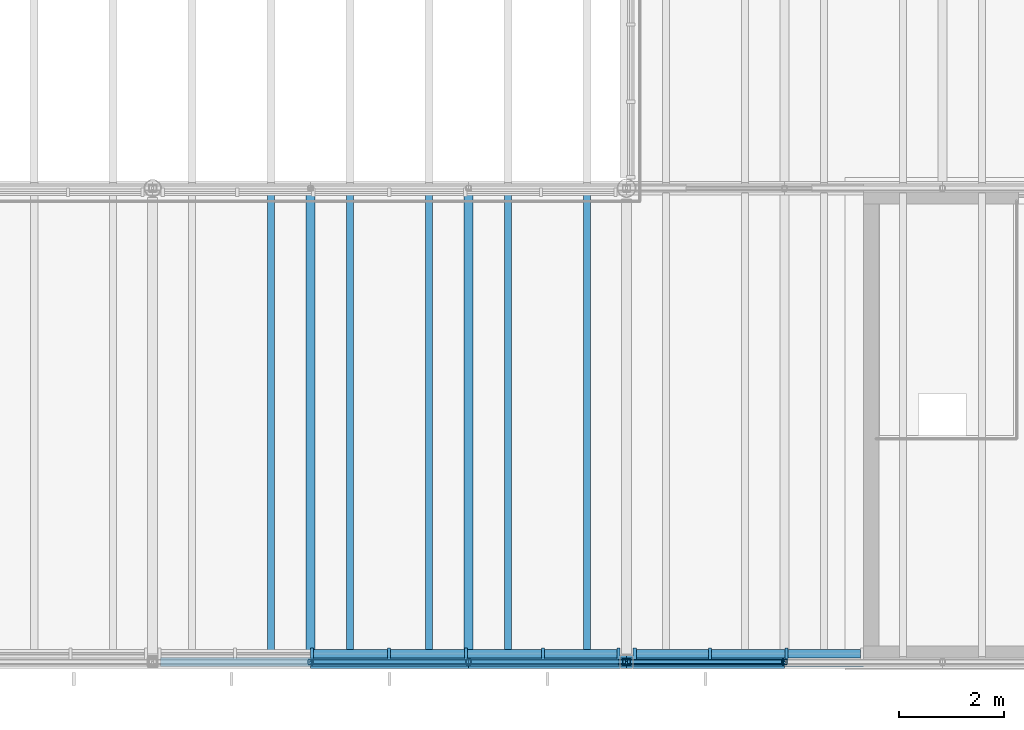
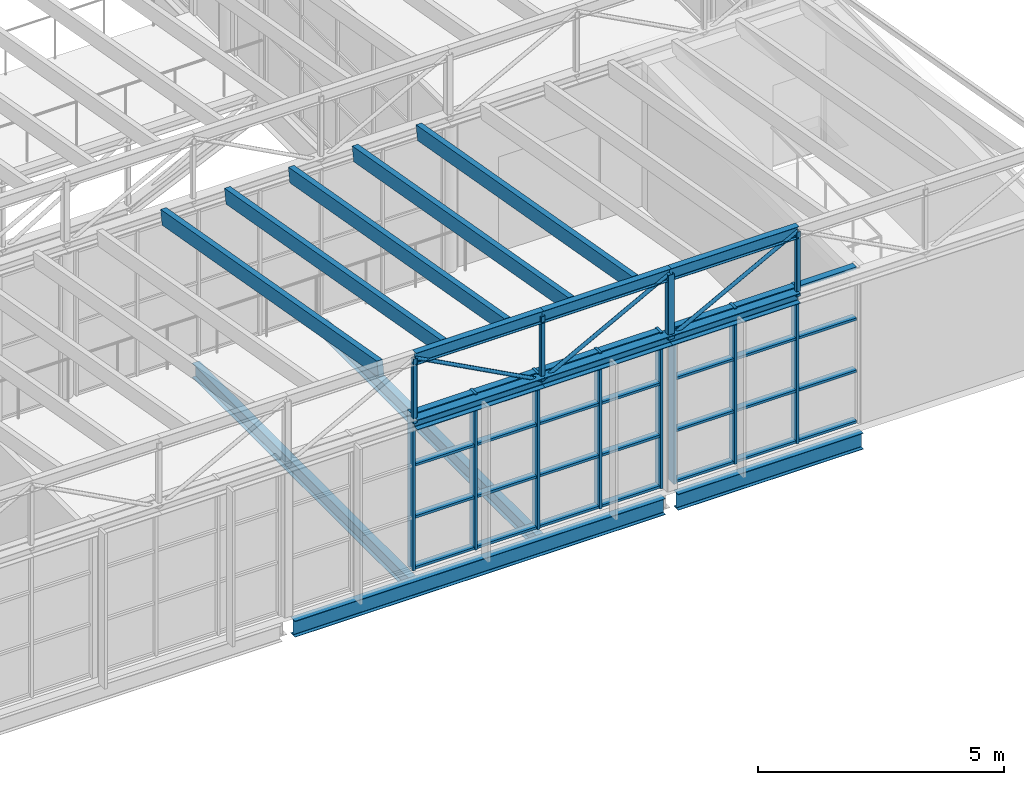
# One storey, part 17 of 44: 54 members, 4 beams, 2 elements without a shape of their own.
"""IFC4 building model written with IfcOpenShell, lengths in metres."""

from ifc_helpers import new_model, si_unit, direction, frame, origin, origin_2d, place, context, subcontext, project, spatial, rectangle, hollow_rectangle, hollow_circle, i_section, extrude, material, layer, layer_set, material_profile, profile_set, type_object, element, aggregate, save


model = new_model("IFC4")

# Units and contexts
model_context = context("Model", 3, precision=1e-05, world=origin(), true_north=direction((0.0, 1.0)))
body_context = subcontext(model_context, "Body", "Model", "MODEL_VIEW")
ifc_project = project(units=[si_unit("LENGTHUNIT", "METRE"), si_unit("AREAUNIT", "SQUARE_METRE"), si_unit("VOLUMEUNIT", "CUBIC_METRE"), si_unit("PLANEANGLEUNIT", "RADIAN"), si_unit("MASSUNIT", "GRAM", prefix="KILO")], contexts=[model_context])

# Site, building, storey
site_placement = place(None, origin())
site = spatial("IfcSite", under=ifc_project, at=site_placement, CompositionType="ELEMENT")
building_placement = place(site_placement, origin())
building = spatial("IfcBuilding", under=site, at=building_placement, Name="Halyard Row Museum", CompositionType="ELEMENT")
storey_placement = place(building_placement, frame((0.0, 0.0, 21.199951171875)))
storey = spatial("IfcBuildingStorey", under=building, at=storey_placement, Name="L04", CompositionType="ELEMENT", Elevation=21.199951171875)

# Curtain wall, members
ifc_material_1 = material(Name="Double glazed unit, low-emissivity", Category="glass")
ifc_layer = layer(ifc_material_1, 0.219970703125)
ifc_layer_set = layer_set([ifc_layer], Name="Double glazed unit, low-emissivity")
curtain_wall_type = type_object("IfcCurtainWallType", Name="Curtain wall unitised 220 deep", PredefinedType="NOTDEFINED", material=ifc_layer_set)
curtain_wall_1_placement = place(storey_placement, origin())
curtain_wall_1 = element("IfcCurtainWall", 1, at=curtain_wall_1_placement, inside=storey, type_object=curtain_wall_type, Name="Curtain wall CW057", PredefinedType="NOTDEFINED")
ifc_material_2 = material(Name="Powder-coated aluminium section", Category="aluminium")
ifc_material_profile_1 = material_profile(ifc_material_2, rectangle(XDim=0.219970703125, YDim=0.06005859375, at=origin_2d()), Name="220x60 mullion")
ifc_profile_set_1 = profile_set([ifc_material_profile_1], Name="Powder-coated aluminium section")
member_type_1 = type_object("IfcMemberType", Name="Curtain wall mullion CM3 60 x 220", PredefinedType="MULLION", material=ifc_profile_set_1)
member_1_placement = place(storey_placement, frame((93.02490234375, 0.159912109375, 0.0), z_axis=(0.0, 0.0, 1.0), x_axis=(0.0, 1.0, 0.0)))
member_1 = element("IfcMember", 2, at=member_1_placement, type_object=member_type_1, Name="CW057 mullion 3", PredefinedType="MULLION", context=body_context, shape_type="SweptSolid", body=[
    extrude(rectangle(XDim=0.219970703125, YDim=0.06005859375, at=origin_2d()), origin(), (0.0, 0.0, 1.0), 3.878173828125),
])
member_2_placement = place(storey_placement, frame((94.487548828125, 0.159912109375, 0.0), z_axis=(0.0, 0.0, 1.0), x_axis=(0.0, 1.0, 0.0)))
member_2 = element("IfcMember", 3, at=member_2_placement, type_object=member_type_1, Name="CW057 mullion 4", PredefinedType="MULLION", context=body_context, shape_type="SweptSolid", body=[
    extrude(rectangle(XDim=0.219970703125, YDim=0.06005859375, at=origin_2d()), origin(), (0.0, 0.0, 1.0), 3.878173828125),
])
member_3_placement = place(storey_placement, frame((95.949951171875, 0.159912109375, 0.0), z_axis=(0.0, 0.0, 1.0), x_axis=(0.0, 1.0, 0.0)))
member_3 = element("IfcMember", 4, at=member_3_placement, type_object=member_type_1, Name="CW057 mullion 5", PredefinedType="MULLION", context=body_context, shape_type="SweptSolid", body=[
    extrude(rectangle(XDim=0.219970703125, YDim=0.06005859375, at=origin_2d()), origin(), (0.0, 0.0, 1.0), 3.878173828125),
])
member_4_placement = place(storey_placement, frame((97.41259765625, 0.159912109375, 0.0), z_axis=(0.0, 0.0, 1.0), x_axis=(0.0, 1.0, 0.0)))
member_4 = element("IfcMember", 5, at=member_4_placement, type_object=member_type_1, Name="CW057 mullion 6", PredefinedType="MULLION", context=body_context, shape_type="SweptSolid", body=[
    extrude(rectangle(XDim=0.219970703125, YDim=0.06005859375, at=origin_2d()), origin(), (0.0, 0.0, 1.0), 3.878173828125),
])
member_5_placement = place(storey_placement, frame((98.844970703125, 0.159912109375, 0.0), z_axis=(0.0, 0.0, 1.0), x_axis=(0.0, 1.0, 0.0)))
member_5 = element("IfcMember", 6, at=member_5_placement, type_object=member_type_1, Name="CW057 mullion 7", PredefinedType="MULLION", context=body_context, shape_type="SweptSolid", body=[
    extrude(rectangle(XDim=0.219970703125, YDim=0.06005859375, at=origin_2d()), origin(), (0.0, 0.0, 1.0), 3.878173828125),
])

curtain_wall_2_placement = place(storey_placement, origin())
curtain_wall_2 = element("IfcCurtainWall", 7, at=curtain_wall_2_placement, inside=storey, type_object=curtain_wall_type, Name="Curtain wall CW058", PredefinedType="NOTDEFINED")
member_6_placement = place(storey_placement, frame((99.155029296875, 0.159912109375, 0.0), z_axis=(0.0, 0.0, 1.0), x_axis=(0.0, 1.0, 0.0)))
member_6 = element("IfcMember", 8, at=member_6_placement, type_object=member_type_1, Name="CW058 mullion 1", PredefinedType="MULLION", context=body_context, shape_type="SweptSolid", body=[
    extrude(rectangle(XDim=0.219970703125, YDim=0.06005859375, at=origin_2d()), origin(), (0.0, 0.0, 1.0), 3.878173828125),
])
member_7_placement = place(storey_placement, frame((100.583251953125, 0.159912109375, 0.0), z_axis=(0.0, 0.0, 1.0), x_axis=(0.0, 1.0, 0.0)))
member_7 = element("IfcMember", 9, at=member_7_placement, type_object=member_type_1, Name="CW058 mullion 2", PredefinedType="MULLION", context=body_context, shape_type="SweptSolid", body=[
    extrude(rectangle(XDim=0.219970703125, YDim=0.06005859375, at=origin_2d()), origin(), (0.0, 0.0, 1.0), 3.878173828125),
])
member_8_placement = place(storey_placement, frame((102.041748046875, 0.159912109375, 0.0), z_axis=(0.0, 0.0, 1.0), x_axis=(0.0, 1.0, 0.0)))
member_8 = element("IfcMember", 10, at=member_8_placement, type_object=member_type_1, Name="CW058 mullion 3", PredefinedType="MULLION", context=body_context, shape_type="SweptSolid", body=[
    extrude(rectangle(XDim=0.219970703125, YDim=0.06005859375, at=origin_2d()), origin(), (0.0, 0.0, 1.0), 3.878173828125),
])

# Member
ifc_material_3 = material(Name="Powder-coated aluminium section", Category="aluminium")
ifc_material_profile_2 = material_profile(ifc_material_3, rectangle(XDim=0.159912109375, YDim=0.06005859375, at=origin_2d()), Name="160x60 transom")
ifc_profile_set_2 = profile_set([ifc_material_profile_2], Name="Powder-coated aluminium section")
member_type_2 = type_object("IfcMemberType", Name="Curtain wall transom CT3 60 x 160", PredefinedType="USERDEFINED", material=ifc_profile_set_2)
member_9_placement = place(storey_placement, frame((93.054931640625, 0.159912109375, 0.030029296875), z_axis=(1.0, 0.0, 0.0), x_axis=(0.0, 1.0, 0.0)))
member_9 = element("IfcMember", 11, at=member_9_placement, type_object=member_type_2, Name="CW057 transom 3.1", ObjectType="TRANSOM", PredefinedType="USERDEFINED", context=body_context, shape_type="SweptSolid", body=[
    extrude(rectangle(XDim=0.159912109375, YDim=0.06005859375, at=origin_2d()), origin(), (0.0, 0.0, 1.0), 1.402587890625),
])

member_10_placement = place(storey_placement, frame((93.054931640625, 0.159912109375, 1.292724609375), z_axis=(1.0, 0.0, 0.0), x_axis=(0.0, 1.0, 0.0)))
member_10 = element("IfcMember", 12, at=member_10_placement, type_object=member_type_2, Name="CW057 transom 3.2", ObjectType="TRANSOM", PredefinedType="USERDEFINED", context=body_context, shape_type="SweptSolid", body=[
    extrude(rectangle(XDim=0.159912109375, YDim=0.06005859375, at=origin_2d()), origin(), (0.0, 0.0, 1.0), 1.402587890625),
])

member_11_placement = place(storey_placement, frame((93.054931640625, 0.159912109375, 2.58544921875), z_axis=(1.0, 0.0, 0.0), x_axis=(0.0, 1.0, 0.0)))
member_11 = element("IfcMember", 13, at=member_11_placement, type_object=member_type_2, Name="CW057 transom 3.3", ObjectType="TRANSOM", PredefinedType="USERDEFINED", context=body_context, shape_type="SweptSolid", body=[
    extrude(rectangle(XDim=0.159912109375, YDim=0.06005859375, at=origin_2d()), origin(), (0.0, 0.0, 1.0), 1.402587890625),
])

member_12_placement = place(storey_placement, frame((93.054931640625, 0.159912109375, 3.84814453125), z_axis=(1.0, 0.0, 0.0), x_axis=(0.0, 1.0, 0.0)))
member_12 = element("IfcMember", 14, at=member_12_placement, type_object=member_type_2, Name="CW057 transom 3.4", ObjectType="TRANSOM", PredefinedType="USERDEFINED", context=body_context, shape_type="SweptSolid", body=[
    extrude(rectangle(XDim=0.159912109375, YDim=0.06005859375, at=origin_2d()), origin(), (0.0, 0.0, 1.0), 1.402587890625),
])

member_13_placement = place(storey_placement, frame((94.517578125, 0.159912109375, 0.030029296875), z_axis=(1.0, 0.0, 0.0), x_axis=(0.0, 1.0, 0.0)))
member_13 = element("IfcMember", 15, at=member_13_placement, type_object=member_type_2, Name="CW057 transom 4.1", ObjectType="TRANSOM", PredefinedType="USERDEFINED", context=body_context, shape_type="SweptSolid", body=[
    extrude(rectangle(XDim=0.159912109375, YDim=0.06005859375, at=origin_2d()), origin(), (0.0, 0.0, 1.0), 1.40234375),
])

member_14_placement = place(storey_placement, frame((94.517578125, 0.159912109375, 1.292724609375), z_axis=(1.0, 0.0, 0.0), x_axis=(0.0, 1.0, 0.0)))
member_14 = element("IfcMember", 16, at=member_14_placement, type_object=member_type_2, Name="CW057 transom 4.2", ObjectType="TRANSOM", PredefinedType="USERDEFINED", context=body_context, shape_type="SweptSolid", body=[
    extrude(rectangle(XDim=0.159912109375, YDim=0.06005859375, at=origin_2d()), origin(), (0.0, 0.0, 1.0), 1.40234375),
])

member_15_placement = place(storey_placement, frame((94.517578125, 0.159912109375, 2.58544921875), z_axis=(1.0, 0.0, 0.0), x_axis=(0.0, 1.0, 0.0)))
member_15 = element("IfcMember", 17, at=member_15_placement, type_object=member_type_2, Name="CW057 transom 4.3", ObjectType="TRANSOM", PredefinedType="USERDEFINED", context=body_context, shape_type="SweptSolid", body=[
    extrude(rectangle(XDim=0.159912109375, YDim=0.06005859375, at=origin_2d()), origin(), (0.0, 0.0, 1.0), 1.40234375),
])

member_16_placement = place(storey_placement, frame((94.517578125, 0.159912109375, 3.84814453125), z_axis=(1.0, 0.0, 0.0), x_axis=(0.0, 1.0, 0.0)))
member_16 = element("IfcMember", 18, at=member_16_placement, type_object=member_type_2, Name="CW057 transom 4.4", ObjectType="TRANSOM", PredefinedType="USERDEFINED", context=body_context, shape_type="SweptSolid", body=[
    extrude(rectangle(XDim=0.159912109375, YDim=0.06005859375, at=origin_2d()), origin(), (0.0, 0.0, 1.0), 1.40234375),
])

member_17_placement = place(storey_placement, frame((95.97998046875, 0.159912109375, 0.030029296875), z_axis=(1.0, 0.0, 0.0), x_axis=(0.0, 1.0, 0.0)))
member_17 = element("IfcMember", 19, at=member_17_placement, type_object=member_type_2, Name="CW057 transom 5.1", ObjectType="TRANSOM", PredefinedType="USERDEFINED", context=body_context, shape_type="SweptSolid", body=[
    extrude(rectangle(XDim=0.159912109375, YDim=0.06005859375, at=origin_2d()), origin(), (0.0, 0.0, 1.0), 1.402587890625),
])

member_18_placement = place(storey_placement, frame((95.97998046875, 0.159912109375, 1.292724609375), z_axis=(1.0, 0.0, 0.0), x_axis=(0.0, 1.0, 0.0)))
member_18 = element("IfcMember", 20, at=member_18_placement, type_object=member_type_2, Name="CW057 transom 5.2", ObjectType="TRANSOM", PredefinedType="USERDEFINED", context=body_context, shape_type="SweptSolid", body=[
    extrude(rectangle(XDim=0.159912109375, YDim=0.06005859375, at=origin_2d()), origin(), (0.0, 0.0, 1.0), 1.402587890625),
])

member_19_placement = place(storey_placement, frame((95.97998046875, 0.159912109375, 2.58544921875), z_axis=(1.0, 0.0, 0.0), x_axis=(0.0, 1.0, 0.0)))
member_19 = element("IfcMember", 21, at=member_19_placement, type_object=member_type_2, Name="CW057 transom 5.3", ObjectType="TRANSOM", PredefinedType="USERDEFINED", context=body_context, shape_type="SweptSolid", body=[
    extrude(rectangle(XDim=0.159912109375, YDim=0.06005859375, at=origin_2d()), origin(), (0.0, 0.0, 1.0), 1.402587890625),
])

member_20_placement = place(storey_placement, frame((95.97998046875, 0.159912109375, 3.84814453125), z_axis=(1.0, 0.0, 0.0), x_axis=(0.0, 1.0, 0.0)))
member_20 = element("IfcMember", 22, at=member_20_placement, type_object=member_type_2, Name="CW057 transom 5.4", ObjectType="TRANSOM", PredefinedType="USERDEFINED", context=body_context, shape_type="SweptSolid", body=[
    extrude(rectangle(XDim=0.159912109375, YDim=0.06005859375, at=origin_2d()), origin(), (0.0, 0.0, 1.0), 1.402587890625),
])

member_21_placement = place(storey_placement, frame((97.4423828125, 0.159912109375, 0.030029296875), z_axis=(1.0, 0.0, 0.0), x_axis=(0.0, 1.0, 0.0)))
member_21 = element("IfcMember", 23, at=member_21_placement, type_object=member_type_2, Name="CW057 transom 6.1", ObjectType="TRANSOM", PredefinedType="USERDEFINED", context=body_context, shape_type="SweptSolid", body=[
    extrude(rectangle(XDim=0.159912109375, YDim=0.06005859375, at=origin_2d()), origin(), (0.0, 0.0, 1.0), 1.37255859375),
])

member_22_placement = place(storey_placement, frame((97.4423828125, 0.159912109375, 1.292724609375), z_axis=(1.0, 0.0, 0.0), x_axis=(0.0, 1.0, 0.0)))
member_22 = element("IfcMember", 24, at=member_22_placement, type_object=member_type_2, Name="CW057 transom 6.2", ObjectType="TRANSOM", PredefinedType="USERDEFINED", context=body_context, shape_type="SweptSolid", body=[
    extrude(rectangle(XDim=0.159912109375, YDim=0.06005859375, at=origin_2d()), origin(), (0.0, 0.0, 1.0), 1.37255859375),
])

member_23_placement = place(storey_placement, frame((97.4423828125, 0.159912109375, 2.58544921875), z_axis=(1.0, 0.0, 0.0), x_axis=(0.0, 1.0, 0.0)))
member_23 = element("IfcMember", 25, at=member_23_placement, type_object=member_type_2, Name="CW057 transom 6.3", ObjectType="TRANSOM", PredefinedType="USERDEFINED", context=body_context, shape_type="SweptSolid", body=[
    extrude(rectangle(XDim=0.159912109375, YDim=0.06005859375, at=origin_2d()), origin(), (0.0, 0.0, 1.0), 1.37255859375),
])

member_24_placement = place(storey_placement, frame((97.4423828125, 0.159912109375, 3.84814453125), z_axis=(1.0, 0.0, 0.0), x_axis=(0.0, 1.0, 0.0)))
member_24 = element("IfcMember", 26, at=member_24_placement, type_object=member_type_2, Name="CW057 transom 6.4", ObjectType="TRANSOM", PredefinedType="USERDEFINED", context=body_context, shape_type="SweptSolid", body=[
    extrude(rectangle(XDim=0.159912109375, YDim=0.06005859375, at=origin_2d()), origin(), (0.0, 0.0, 1.0), 1.37255859375),
])

aggregate(curtain_wall_1, [member_1, member_2, member_3, member_4, member_5, member_9, member_10, member_11, member_12, member_13, member_14, member_15, member_16, member_17, member_18, member_19, member_20, member_21, member_22, member_23, member_24])

member_25_placement = place(storey_placement, frame((99.18505859375, 0.159912109375, 0.030029296875), z_axis=(1.0, 0.0, 0.0), x_axis=(0.0, 1.0, 0.0)))
member_25 = element("IfcMember", 27, at=member_25_placement, type_object=member_type_2, Name="CW058 transom 1.1", ObjectType="TRANSOM", PredefinedType="USERDEFINED", context=body_context, shape_type="SweptSolid", body=[
    extrude(rectangle(XDim=0.159912109375, YDim=0.06005859375, at=origin_2d()), origin(), (0.0, 0.0, 1.0), 1.3681640625),
])

member_26_placement = place(storey_placement, frame((99.18505859375, 0.159912109375, 1.292724609375), z_axis=(1.0, 0.0, 0.0), x_axis=(0.0, 1.0, 0.0)))
member_26 = element("IfcMember", 28, at=member_26_placement, type_object=member_type_2, Name="CW058 transom 1.2", ObjectType="TRANSOM", PredefinedType="USERDEFINED", context=body_context, shape_type="SweptSolid", body=[
    extrude(rectangle(XDim=0.159912109375, YDim=0.06005859375, at=origin_2d()), origin(), (0.0, 0.0, 1.0), 1.3681640625),
])

member_27_placement = place(storey_placement, frame((99.18505859375, 0.159912109375, 2.58544921875), z_axis=(1.0, 0.0, 0.0), x_axis=(0.0, 1.0, 0.0)))
member_27 = element("IfcMember", 29, at=member_27_placement, type_object=member_type_2, Name="CW058 transom 1.3", ObjectType="TRANSOM", PredefinedType="USERDEFINED", context=body_context, shape_type="SweptSolid", body=[
    extrude(rectangle(XDim=0.159912109375, YDim=0.06005859375, at=origin_2d()), origin(), (0.0, 0.0, 1.0), 1.3681640625),
])

member_28_placement = place(storey_placement, frame((99.18505859375, 0.159912109375, 3.84814453125), z_axis=(1.0, 0.0, 0.0), x_axis=(0.0, 1.0, 0.0)))
member_28 = element("IfcMember", 30, at=member_28_placement, type_object=member_type_2, Name="CW058 transom 1.4", ObjectType="TRANSOM", PredefinedType="USERDEFINED", context=body_context, shape_type="SweptSolid", body=[
    extrude(rectangle(XDim=0.159912109375, YDim=0.06005859375, at=origin_2d()), origin(), (0.0, 0.0, 1.0), 1.3681640625),
])

member_29_placement = place(storey_placement, frame((100.61328125, 0.159912109375, 0.030029296875), z_axis=(1.0, 0.0, 0.0), x_axis=(0.0, 1.0, 0.0)))
member_29 = element("IfcMember", 31, at=member_29_placement, type_object=member_type_2, Name="CW058 transom 2.1", ObjectType="TRANSOM", PredefinedType="USERDEFINED", context=body_context, shape_type="SweptSolid", body=[
    extrude(rectangle(XDim=0.159912109375, YDim=0.06005859375, at=origin_2d()), origin(), (0.0, 0.0, 1.0), 1.3984375),
])

member_30_placement = place(storey_placement, frame((100.61328125, 0.159912109375, 1.292724609375), z_axis=(1.0, 0.0, 0.0), x_axis=(0.0, 1.0, 0.0)))
member_30 = element("IfcMember", 32, at=member_30_placement, type_object=member_type_2, Name="CW058 transom 2.2", ObjectType="TRANSOM", PredefinedType="USERDEFINED", context=body_context, shape_type="SweptSolid", body=[
    extrude(rectangle(XDim=0.159912109375, YDim=0.06005859375, at=origin_2d()), origin(), (0.0, 0.0, 1.0), 1.3984375),
])

member_31_placement = place(storey_placement, frame((100.61328125, 0.159912109375, 2.58544921875), z_axis=(1.0, 0.0, 0.0), x_axis=(0.0, 1.0, 0.0)))
member_31 = element("IfcMember", 33, at=member_31_placement, type_object=member_type_2, Name="CW058 transom 2.3", ObjectType="TRANSOM", PredefinedType="USERDEFINED", context=body_context, shape_type="SweptSolid", body=[
    extrude(rectangle(XDim=0.159912109375, YDim=0.06005859375, at=origin_2d()), origin(), (0.0, 0.0, 1.0), 1.3984375),
])

member_32_placement = place(storey_placement, frame((100.61328125, 0.159912109375, 3.84814453125), z_axis=(1.0, 0.0, 0.0), x_axis=(0.0, 1.0, 0.0)))
member_32 = element("IfcMember", 34, at=member_32_placement, type_object=member_type_2, Name="CW058 transom 2.4", ObjectType="TRANSOM", PredefinedType="USERDEFINED", context=body_context, shape_type="SweptSolid", body=[
    extrude(rectangle(XDim=0.159912109375, YDim=0.06005859375, at=origin_2d()), origin(), (0.0, 0.0, 1.0), 1.3984375),
])

member_33_placement = place(storey_placement, frame((102.07177734375, 0.159912109375, 0.030029296875), z_axis=(1.0, 0.0, 0.0), x_axis=(0.0, 1.0, 0.0)))
member_33 = element("IfcMember", 35, at=member_33_placement, type_object=member_type_2, Name="CW058 transom 3.1", ObjectType="TRANSOM", PredefinedType="USERDEFINED", context=body_context, shape_type="SweptSolid", body=[
    extrude(rectangle(XDim=0.159912109375, YDim=0.06005859375, at=origin_2d()), origin(), (0.0, 0.0, 1.0), 1.3681640625),
])

member_34_placement = place(storey_placement, frame((102.07177734375, 0.159912109375, 1.292724609375), z_axis=(1.0, 0.0, 0.0), x_axis=(0.0, 1.0, 0.0)))
member_34 = element("IfcMember", 36, at=member_34_placement, type_object=member_type_2, Name="CW058 transom 3.2", ObjectType="TRANSOM", PredefinedType="USERDEFINED", context=body_context, shape_type="SweptSolid", body=[
    extrude(rectangle(XDim=0.159912109375, YDim=0.06005859375, at=origin_2d()), origin(), (0.0, 0.0, 1.0), 1.3681640625),
])

member_35_placement = place(storey_placement, frame((102.07177734375, 0.159912109375, 2.58544921875), z_axis=(1.0, 0.0, 0.0), x_axis=(0.0, 1.0, 0.0)))
member_35 = element("IfcMember", 37, at=member_35_placement, type_object=member_type_2, Name="CW058 transom 3.3", ObjectType="TRANSOM", PredefinedType="USERDEFINED", context=body_context, shape_type="SweptSolid", body=[
    extrude(rectangle(XDim=0.159912109375, YDim=0.06005859375, at=origin_2d()), origin(), (0.0, 0.0, 1.0), 1.3681640625),
])

member_36_placement = place(storey_placement, frame((102.07177734375, 0.159912109375, 3.84814453125), z_axis=(1.0, 0.0, 0.0), x_axis=(0.0, 1.0, 0.0)))
member_36 = element("IfcMember", 38, at=member_36_placement, type_object=member_type_2, Name="CW058 transom 3.4", ObjectType="TRANSOM", PredefinedType="USERDEFINED", context=body_context, shape_type="SweptSolid", body=[
    extrude(rectangle(XDim=0.159912109375, YDim=0.06005859375, at=origin_2d()), origin(), (0.0, 0.0, 1.0), 1.3681640625),
])

aggregate(curtain_wall_2, [member_6, member_7, member_8, member_25, member_26, member_27, member_28, member_29, member_30, member_31, member_32, member_33, member_34, member_35, member_36])

# Beams
ifc_material_4 = material(Name="Steel Grade 300", Category="steel")
ifc_material_profile_3 = material_profile(ifc_material_4, i_section(OverallWidth=0.177978515625, OverallDepth=0.402587890625, WebThickness=0.007568359375, FlangeThickness=0.010986328125, FilletRadius=0.011474609375, at=origin_2d()), Name="410UB53.7")
ifc_profile_set_3 = profile_set([ifc_material_profile_3], Name="Steel Grade 300")
beam_type_1 = type_object("IfcBeamType", Name="Edge beam 410UB53.7", PredefinedType="BEAM", material=ifc_profile_set_3)
beam_1_placement = place(storey_placement, frame((90.14990234375, 0.0, -0.3662109375), z_axis=(1.0, 0.0, 0.0), x_axis=(0.0, 1.0, 0.0)))
element("IfcBeam", 39, at=beam_1_placement, inside=storey, type_object=beam_type_1, Name="Beam L04-003", PredefinedType="BEAM", context=body_context, shape_type="SweptSolid", body=[
    extrude(i_section(OverallWidth=0.177978515625, OverallDepth=0.402587890625, WebThickness=0.007568359375, FlangeThickness=0.010986328125, FilletRadius=0.011474609375, at=origin_2d()), origin(), (0.0, 0.0, 1.0), 8.7001953125),
])
beam_2_placement = place(storey_placement, frame((99.14990234375, 0.0, -0.3662109375), z_axis=(1.0, 0.0, 0.0), x_axis=(0.0, 1.0, 0.0)))
element("IfcBeam", 40, at=beam_2_placement, inside=storey, type_object=beam_type_1, Name="Beam L04-004", PredefinedType="BEAM", context=body_context, shape_type="SweptSolid", body=[
    extrude(i_section(OverallWidth=0.177978515625, OverallDepth=0.402587890625, WebThickness=0.007568359375, FlangeThickness=0.010986328125, FilletRadius=0.011474609375, at=origin_2d()), origin(), (0.0, 0.0, 1.0), 4.35009765625),
])

# Members
ifc_material_5 = material(Name="Glulam GL12 radiata pine", Category="wood")
ifc_material_profile_4 = material_profile(ifc_material_5, rectangle(XDim=0.135009765625, YDim=0.360107421875, at=origin_2d()), Name="GL12 135x360")
ifc_profile_set_4 = profile_set([ifc_material_profile_4], Name="Glulam GL12 radiata pine")
member_type_3 = type_object("IfcMemberType", Name="Rafter GL12 135x360", PredefinedType="RAFTER", material=ifc_profile_set_4)
for number, where, z_axis, x_axis, name in (
    (41, (92.25, 0.074462890625, 5.283935546875), (0.0, 0.984562193919, -0.175035100209), (-1.0, 0.0, 0.0), "Rafter V2-T1a.14"),
    (42, (93.75, 0.074462890625, 5.283935546875), (0.0, 0.984562193919, -0.175035100209), (-1.0, 0.0, 0.0), "Rafter V2-T1a.15"),
    (43, (95.25, 0.074462890625, 5.283935546875), (0.0, 0.984562193919, -0.175035100209), (-1.0, 0.0, 0.0), "Rafter V2-T1a.16"),
    (44, (96.75, 0.074462890625, 5.283935546875), (0.0, 0.984562193919, -0.175035100209), (-1.0, 0.0, 0.0), "Rafter V2-T1a.17"),
    (45, (98.25, 0.074462890625, 5.283935546875), (0.0, 0.984562193919, -0.175035100209), (-1.0, 0.0, 0.0), "Rafter V2-T1a.18"),
):
    element("IfcMember", number, at=place(storey_placement, frame(where, z_axis=z_axis, x_axis=x_axis)), inside=storey, type_object=member_type_3, Name=name, PredefinedType="RAFTER", context=body_context, shape_type="SweptSolid", body=[
        extrude(rectangle(XDim=0.135009765625, YDim=0.360107421875, at=origin_2d()), origin(), (0.0, 0.0, 1.0), 8.9365234375),
    ])

# Beams
ifc_material_6 = material(Name="Steel Grade 300", Category="steel")
ifc_material_profile_5 = material_profile(ifc_material_6, i_section(OverallWidth=0.1708984375, OverallDepth=0.355712890625, WebThickness=0.00732421875, FlangeThickness=0.011474609375, FilletRadius=0.011474609375, at=origin_2d()), Name="360UB50.7")
ifc_profile_set_5 = profile_set([ifc_material_profile_5], Name="Steel Grade 300")
beam_type_2 = type_object("IfcBeamType", Name="Secondary beam 360UB50.7", PredefinedType="BEAM", material=ifc_profile_set_5)
for number, where, z_axis, x_axis, name in (
    (46, (93.0, 0.089111328125, -0.3427734375), (0.0, 1.0, 0.0), (-1.0, 0.0, 0.0), "Beam L04-036"),
    (47, (96.0, 0.089111328125, -0.3427734375), (0.0, 1.0, 0.0), (-1.0, 0.0, 0.0), "Beam L04-037"),
):
    element("IfcBeam", number, at=place(storey_placement, frame(where, z_axis=z_axis, x_axis=x_axis)), inside=storey, type_object=beam_type_2, Name=name, PredefinedType="BEAM", context=body_context, shape_type="SweptSolid", body=[
        extrude(i_section(OverallWidth=0.1708984375, OverallDepth=0.355712890625, WebThickness=0.00732421875, FlangeThickness=0.011474609375, FilletRadius=0.011474609375, at=origin_2d()), origin(), (0.0, 0.0, 1.0), 8.796875),
    ])

# Members
ifc_material_7 = material(Name="Steel Grade 300", Category="steel")
ifc_material_profile_6 = material_profile(ifc_material_7, i_section(OverallWidth=0.25390625, OverallDepth=0.25390625, WebThickness=0.008544921875, FlangeThickness=0.01416015625, FilletRadius=0.013916015625, at=origin_2d()), Name="250UC72.9")
ifc_profile_set_6 = profile_set([ifc_material_profile_6], Name="Steel Grade 300")
member_type_4 = type_object("IfcMemberType", Name="Valley truss bottom chord 250UC72.9", PredefinedType="CHORD", material=ifc_profile_set_6)
for number, where, z_axis, x_axis, name in (
    (48, (93.0, 0.0, 3.72705078125), (1.0, 0.0, 0.0), (0.0, 1.0, 0.0), "V2-VT1 bottom chord 3.2"),
    (49, (96.0, 0.0, 3.72705078125), (1.0, 0.0, 0.0), (0.0, 1.0, 0.0), "V2-VT1 bottom chord 3.3"),
    (50, (99.0, 0.0, 3.72705078125), (1.0, 0.0, 0.0), (0.0, 1.0, 0.0), "V2-VT1 bottom chord 4.1"),
):
    element("IfcMember", number, at=place(storey_placement, frame(where, z_axis=z_axis, x_axis=x_axis)), inside=storey, type_object=member_type_4, Name=name, PredefinedType="CHORD", context=body_context, shape_type="SweptSolid", body=[
        extrude(i_section(OverallWidth=0.25390625, OverallDepth=0.25390625, WebThickness=0.008544921875, FlangeThickness=0.01416015625, FilletRadius=0.013916015625, at=origin_2d()), origin(), (0.0, 0.0, 1.0), 3.0),
    ])
ifc_material_8 = material(Name="Steel Grade C250L0", Category="steel")
ifc_material_profile_7 = material_profile(ifc_material_8, hollow_circle(Radius=0.04443359375, WallThickness=0.0048828125, at=origin_2d()), Name="88.9x5.0CHS")
ifc_profile_set_7 = profile_set([ifc_material_profile_7], Name="Steel Grade C250L0")
member_type_5 = type_object("IfcMemberType", Name="Valley truss diagonal 88.9x5.0CHS", PredefinedType="BRACE", material=ifc_profile_set_7)
for number, where, z_axis, x_axis, name in (
    (51, (93.0, 0.0, 5.3310546875), (0.881863759518, 0.0, -0.471504305016), (0.0, 1.0, 0.0), "V2-VT1 diagonal 3.2"),
    (52, (96.0, 0.0, 3.72705078125), (0.881863759518, 0.0, 0.471504305016), (0.0, 1.0, 0.0), "V2-VT1 diagonal 3.3"),
    (53, (99.0, 0.0, 3.72705078125), (0.881863759518, 0.0, 0.471504305016), (0.0, 1.0, 0.0), "V2-VT1 diagonal 4.1"),
):
    element("IfcMember", number, at=place(storey_placement, frame(where, z_axis=z_axis, x_axis=x_axis)), inside=storey, type_object=member_type_5, Name=name, PredefinedType="BRACE", context=body_context, shape_type="SweptSolid", body=[
        extrude(hollow_circle(Radius=0.04443359375, WallThickness=0.0048828125, at=origin_2d()), origin(), (0.0, 0.0, 1.0), 3.40185546875),
    ])
ifc_material_9 = material(Name="Steel Grade C350L0", Category="steel")
ifc_material_profile_8 = material_profile(ifc_material_9, hollow_rectangle(XDim=0.10009765625, YDim=0.10009765625, WallThickness=0.006103515625, InnerFilletRadius=0.009033203125, OuterFilletRadius=0.014892578125, at=origin_2d()), Name="100x100x6.0SHS")
ifc_profile_set_8 = profile_set([ifc_material_profile_8], Name="Steel Grade C350L0")
member_type_6 = type_object("IfcMemberType", Name="Valley truss post 100x100x6.0SHS", PredefinedType="POST", material=ifc_profile_set_8)
for number, where, z_axis, x_axis, name in (
    (54, (93.0, 0.0, 3.72705078125), (0.0, 0.0, 1.0), (1.0, 0.0, 0.0), "V2-VT1 post 3.1"),
    (55, (96.0, 0.0, 3.72705078125), (0.0, 0.0, 1.0), (1.0, 0.0, 0.0), "V2-VT1 post 3.2"),
    (56, (102.0, 0.0, 3.72705078125), (0.0, 0.0, 1.0), (1.0, 0.0, 0.0), "V2-VT1 post 4.1"),
):
    element("IfcMember", number, at=place(storey_placement, frame(where, z_axis=z_axis, x_axis=x_axis)), inside=storey, type_object=member_type_6, Name=name, PredefinedType="POST", context=body_context, shape_type="SweptSolid", body=[
        extrude(hollow_rectangle(XDim=0.10009765625, YDim=0.10009765625, WallThickness=0.006103515625, InnerFilletRadius=0.009033203125, OuterFilletRadius=0.014892578125, at=origin_2d()), origin(), (0.0, 0.0, 1.0), 1.60400390625),
    ])
ifc_material_10 = material(Name="Steel Grade C350L0", Category="steel")
ifc_material_profile_9 = material_profile(ifc_material_10, hollow_rectangle(XDim=0.14990234375, YDim=0.14990234375, WallThickness=0.006103515625, InnerFilletRadius=0.009033203125, OuterFilletRadius=0.014892578125, at=origin_2d()), Name="150x150x6.0SHS")
ifc_profile_set_9 = profile_set([ifc_material_profile_9], Name="Steel Grade C350L0")
member_type_7 = type_object("IfcMemberType", Name="Valley truss post 150x150x6.0SHS", PredefinedType="POST", material=ifc_profile_set_9)
member_37_placement = place(storey_placement, frame((99.0, 0.0, 3.72705078125), z_axis=(0.0, 0.0, 1.0), x_axis=(1.0, 0.0, 0.0)))
element("IfcMember", 57, at=member_37_placement, inside=storey, type_object=member_type_7, Name="V2-VT1 post 3.3", PredefinedType="POST", context=body_context, shape_type="SweptSolid", body=[
    extrude(hollow_rectangle(XDim=0.14990234375, YDim=0.14990234375, WallThickness=0.006103515625, InnerFilletRadius=0.009033203125, OuterFilletRadius=0.014892578125, at=origin_2d()), origin(), (0.0, 0.0, 1.0), 1.60400390625),
])
ifc_material_11 = material(Name="Steel Grade 300", Category="steel")
ifc_material_profile_10 = material_profile(ifc_material_11, i_section(OverallWidth=0.14892578125, OverallDepth=0.298095703125, WebThickness=0.005615234375, FlangeThickness=0.008056640625, FilletRadius=0.012939453125, at=origin_2d()), Name="310UB32.0")
ifc_profile_set_10 = profile_set([ifc_material_profile_10], Name="Steel Grade 300")
member_type_8 = type_object("IfcMemberType", Name="Valley truss top chord 310UB32.0", PredefinedType="CHORD", material=ifc_profile_set_10)
for number, where, z_axis, x_axis, name in (
    (58, (93.0, 0.0, 5.3310546875), (1.0, 0.0, 0.0), (0.0, 1.0, 0.0), "V2-VT1 top chord 3.2"),
    (59, (96.0, 0.0, 5.3310546875), (1.0, 0.0, 0.0), (0.0, 1.0, 0.0), "V2-VT1 top chord 3.3"),
    (60, (99.0, 0.0, 5.3310546875), (1.0, 0.0, 0.0), (0.0, 1.0, 0.0), "V2-VT1 top chord 4.1"),
):
    element("IfcMember", number, at=place(storey_placement, frame(where, z_axis=z_axis, x_axis=x_axis)), inside=storey, type_object=member_type_8, Name=name, PredefinedType="CHORD", context=body_context, shape_type="SweptSolid", body=[
        extrude(i_section(OverallWidth=0.14892578125, OverallDepth=0.298095703125, WebThickness=0.005615234375, FlangeThickness=0.008056640625, FilletRadius=0.012939453125, at=origin_2d()), origin(), (0.0, 0.0, 1.0), 3.0),
    ])

save(model, "model.ifc")
